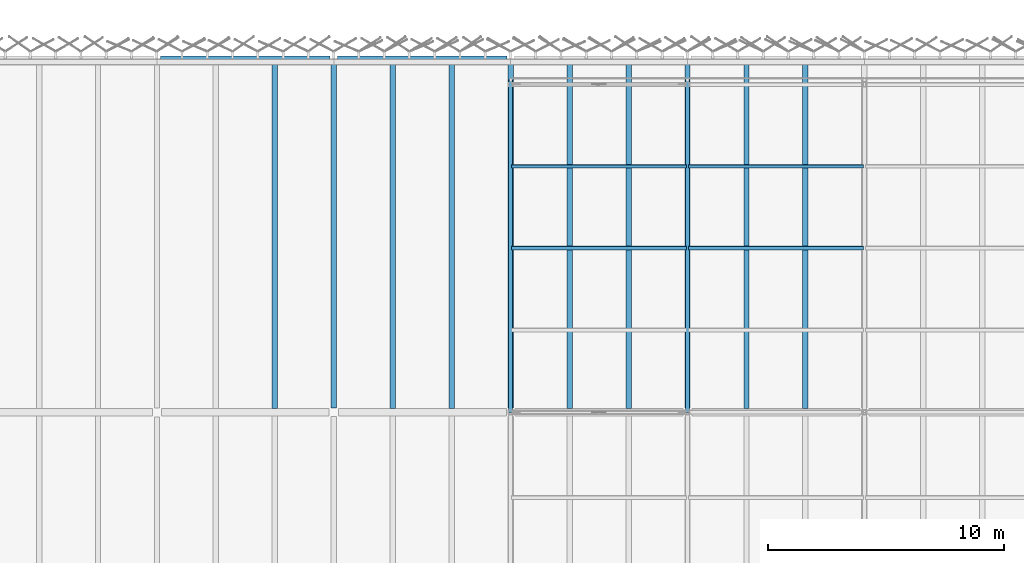
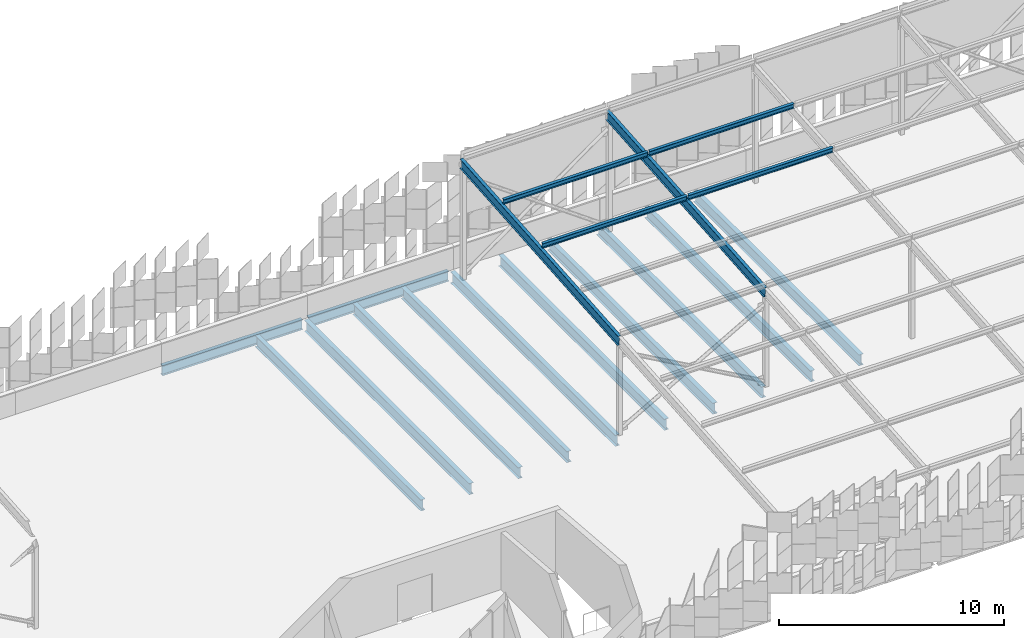
# One storey, part 97 of 483: 12 beams, 6 members.
"""IFC4 building model written with IfcOpenShell, lengths in metres."""

from ifc_helpers import new_model, si_unit, direction, frame, origin, origin_2d, place, context, subcontext, project, spatial, i_section, extrude, material, material_profile, profile_set, type_object, element, save


model = new_model("IFC4")

# Units and contexts
model_context = context("Model", 3, precision=1e-05, world=origin(), true_north=direction((0.0, 1.0)))
body_context = subcontext(model_context, "Body", "Model", "MODEL_VIEW")
ifc_project = project(units=[si_unit("LENGTHUNIT", "METRE"), si_unit("AREAUNIT", "SQUARE_METRE"), si_unit("VOLUMEUNIT", "CUBIC_METRE"), si_unit("PLANEANGLEUNIT", "RADIAN"), si_unit("MASSUNIT", "GRAM", prefix="KILO")], contexts=[model_context])

# Site, building, storey
site_placement = place(None, origin())
site = spatial("IfcSite", under=ifc_project, at=site_placement, CompositionType="ELEMENT")
building_placement = place(site_placement, origin())
building = spatial("IfcBuilding", under=site, at=building_placement, Name="Parallax Yard Mobility Hub", CompositionType="ELEMENT")
storey_placement = place(building_placement, frame((0.0, 0.0, 13.199951171875)))
storey = spatial("IfcBuildingStorey", under=building, at=storey_placement, Name="L04", CompositionType="ELEMENT", Elevation=13.199951171875)

# Members
ifc_material = material(Name="Steel ASTM A992", Category="steel")
ifc_material_profile_1 = material_profile(ifc_material, i_section(OverallWidth=0.14794921875, OverallDepth=0.26611328125, WebThickness=0.007568359375, FlangeThickness=0.012939453125, at=origin_2d()), Name="W250x45")
ifc_profile_set_1 = profile_set([ifc_material_profile_1], Name="Steel ASTM A992")
member_type_1 = type_object("IfcMemberType", Name="Canopy purlin W250x45", PredefinedType="PURLIN", material=ifc_profile_set_1)
for number, where, z_axis, x_axis, name in (
    (1, (90.0400390625, 134.460693359375, 6.01806640625), (1.0, 0.0, 0.0), (0.0, 0.996815308126, 0.079744852409), "Canopy purlin sector N-B bay 1 line 7"),
    (2, (90.0400390625, 137.935546875, 6.296142578125), (1.0, 0.0, 0.0), (0.0, 0.996815308126, 0.079744852409), "Canopy purlin sector N-B bay 1 line 8"),
    (3, (97.5400390625, 134.460693359375, 6.01806640625), (1.0, 0.0, 0.0), (0.0, 0.996815308126, 0.079744852409), "Canopy purlin sector N-B bay 2 line 7"),
    (4, (97.5400390625, 137.935546875, 6.296142578125), (1.0, 0.0, 0.0), (0.0, 0.996815308126, 0.079744852409), "Canopy purlin sector N-B bay 2 line 8"),
):
    element("IfcMember", number, at=place(storey_placement, frame(where, z_axis=z_axis, x_axis=x_axis)), inside=storey, type_object=member_type_1, Name=name, PredefinedType="PURLIN", context=body_context, shape_type="SweptSolid", body=[
        extrude(i_section(OverallWidth=0.14794921875, OverallDepth=0.26611328125, WebThickness=0.007568359375, FlangeThickness=0.012939453125, at=origin_2d()), origin(), (0.0, 0.0, 1.0), 7.419921875),
    ])
ifc_material_profile_2 = material_profile(ifc_material, i_section(OverallWidth=0.166015625, OverallDepth=0.529052734375, WebThickness=0.009765625, FlangeThickness=0.013671875, at=origin_2d()), Name="W530x74")
ifc_profile_set_2 = profile_set([ifc_material_profile_2], Name="Steel ASTM A992")
member_type_2 = type_object("IfcMemberType", Name="Canopy rafter W530x74", PredefinedType="RAFTER", material=ifc_profile_set_2)
for number, where, z_axis, x_axis, name in (
    (5, (90.0, 127.52099609375, 5.067138671875), (0.0, 0.996815168385, 0.079746599163), (-1.0, 0.0, 0.0), "Canopy rafter N-B1 outer span"),
    (6, (97.5, 127.52099609375, 5.067138671875), (0.0, 0.996815168385, 0.079746599163), (-1.0, 0.0, 0.0), "Canopy rafter N-B2 outer span"),
):
    element("IfcMember", number, at=place(storey_placement, frame(where, z_axis=z_axis, x_axis=x_axis)), inside=storey, type_object=member_type_2, Name=name, PredefinedType="RAFTER", context=body_context, shape_type="SweptSolid", body=[
        extrude(i_section(OverallWidth=0.166015625, OverallDepth=0.529052734375, WebThickness=0.009765625, FlangeThickness=0.013671875, at=origin_2d()), origin(), (0.0, 0.0, 1.0), 14.094970703125),
    ])

# Beams
ifc_material_profile_3 = material_profile(ifc_material, i_section(OverallWidth=0.208984375, OverallDepth=0.532958984375, WebThickness=0.01025390625, FlangeThickness=0.015625, FilletRadius=0.0126953125, at=origin_2d()), Name="W530x92")
ifc_profile_set_3 = profile_set([ifc_material_profile_3], Name="Steel ASTM A992")
beam_type_1 = type_object("IfcBeamType", Name="W530x92 edge beam", PredefinedType="SPANDREL", material=ifc_profile_set_3)
for number, where, z_axis, x_axis, name in (
    (7, (75.152587890625, 142.5, -0.406494140625), (1.0, 0.0, 0.0), (0.0, 1.0, 0.0), "Edge beam SB5 level L04, line V of ramped parking decks, span 7"),
    (8, (82.652587890625, 142.5, -0.406494140625), (1.0, 0.0, 0.0), (0.0, 1.0, 0.0), "Edge beam SB5 level L04, line V of ramped parking decks, span 8"),
):
    element("IfcBeam", number, at=place(storey_placement, frame(where, z_axis=z_axis, x_axis=x_axis)), inside=storey, type_object=beam_type_1, Name=name, PredefinedType="SPANDREL", context=body_context, shape_type="SweptSolid", body=[
        extrude(i_section(OverallWidth=0.208984375, OverallDepth=0.532958984375, WebThickness=0.01025390625, FlangeThickness=0.015625, FilletRadius=0.0126953125, at=origin_2d()), origin(), (0.0, 0.0, 1.0), 7.19482421875),
    ])
ifc_material_profile_4 = material_profile(ifc_material, i_section(OverallWidth=0.22802734375, OverallDepth=0.60205078125, WebThickness=0.010498046875, FlangeThickness=0.014892578125, FilletRadius=0.0126953125, at=origin_2d()), Name="W610x101")
ifc_profile_set_4 = profile_set([ifc_material_profile_4], Name="Steel ASTM A992")
beam_type_2 = type_object("IfcBeamType", Name="W610x101 secondary beam", PredefinedType="JOIST", material=ifc_profile_set_4)
for number, where, z_axis, x_axis, name in (
    (9, (85.0, 127.66259765625, -0.44091796875), (0.0, 1.0, 0.0), (-1.0, 0.0, 0.0), "Secondary beam B3 level L04, 2.5 m east of line 12 of ramped parking decks, span 2"),
    (10, (92.5, 127.66259765625, -0.44091796875), (0.0, 1.0, 0.0), (-1.0, 0.0, 0.0), "Secondary beam B3 level L04, 2.5 m east of line 13 of ramped parking decks, span 2"),
    (11, (100.0, 127.66259765625, -0.44091796875), (0.0, 1.0, 0.0), (-1.0, 0.0, 0.0), "Secondary beam B3 level L04, 2.5 m east of line 14 of ramped parking decks, span 2"),
    (12, (80.0, 127.66259765625, -0.44091796875), (0.0, 1.0, 0.0), (-1.0, 0.0, 0.0), "Secondary beam B3 level L04, 5 m east of line 11 of ramped parking decks, span 2"),
    (13, (87.5, 127.66259765625, -0.44091796875), (0.0, 1.0, 0.0), (-1.0, 0.0, 0.0), "Secondary beam B3 level L04, 5 m east of line 12 of ramped parking decks, span 2"),
    (14, (95.0, 127.66259765625, -0.44091796875), (0.0, 1.0, 0.0), (-1.0, 0.0, 0.0), "Secondary beam B3 level L04, 5 m east of line 13 of ramped parking decks, span 2"),
    (15, (102.5, 127.66259765625, -0.44091796875), (0.0, 1.0, 0.0), (-1.0, 0.0, 0.0), "Secondary beam B3 level L04, 5 m east of line 14 of ramped parking decks, span 2"),
):
    element("IfcBeam", number, at=place(storey_placement, frame(where, z_axis=z_axis, x_axis=x_axis)), inside=storey, type_object=beam_type_2, Name=name, PredefinedType="JOIST", context=body_context, shape_type="SweptSolid", body=[
        extrude(i_section(OverallWidth=0.22802734375, OverallDepth=0.60205078125, WebThickness=0.010498046875, FlangeThickness=0.014892578125, FilletRadius=0.0126953125, at=origin_2d()), origin(), (0.0, 0.0, 1.0), 14.73291015625),
    ])
ifc_material_profile_5 = material_profile(ifc_material, i_section(OverallWidth=0.22900390625, OverallDepth=0.612060546875, WebThickness=0.011962890625, FlangeThickness=0.01953125, FilletRadius=0.0126953125, at=origin_2d()), Name="W610x125")
ifc_profile_set_5 = profile_set([ifc_material_profile_5], Name="Steel ASTM A992")
beam_type_3 = type_object("IfcBeamType", Name="W610x125 girder", PredefinedType="BEAM", material=ifc_profile_set_5)
beam_placement = place(storey_placement, frame((82.5, 127.68798828125, -0.446044921875), z_axis=(0.0, 1.0, 0.0), x_axis=(-1.0, 0.0, 0.0)))
element("IfcBeam", 16, at=beam_placement, inside=storey, type_object=beam_type_3, Name="Girder G3 level L04, line 12 of ramped parking decks, span 2", PredefinedType="BEAM", context=body_context, shape_type="SweptSolid", body=[
    extrude(i_section(OverallWidth=0.22900390625, OverallDepth=0.612060546875, WebThickness=0.011962890625, FlangeThickness=0.01953125, FilletRadius=0.0126953125, at=origin_2d()), origin(), (0.0, 0.0, 1.0), 14.658447265625),
])
for number, where, z_axis, x_axis, name in (
    (17, (90.0, 127.68408203125, -0.446044921875), (0.0, 1.0, 0.0), (-1.0, 0.0, 0.0), "Girder G3 level L04, line 13 of ramped parking decks, span 2"),
    (18, (97.5, 127.68408203125, -0.446044921875), (0.0, 1.0, 0.0), (-1.0, 0.0, 0.0), "Girder G3 level L04, line 14 of ramped parking decks, span 2"),
):
    element("IfcBeam", number, at=place(storey_placement, frame(where, z_axis=z_axis, x_axis=x_axis)), inside=storey, type_object=beam_type_3, Name=name, PredefinedType="BEAM", context=body_context, shape_type="SweptSolid", body=[
        extrude(i_section(OverallWidth=0.22900390625, OverallDepth=0.612060546875, WebThickness=0.011962890625, FlangeThickness=0.01953125, FilletRadius=0.0126953125, at=origin_2d()), origin(), (0.0, 0.0, 1.0), 14.662353515625),
    ])

save(model, "model.ifc")
